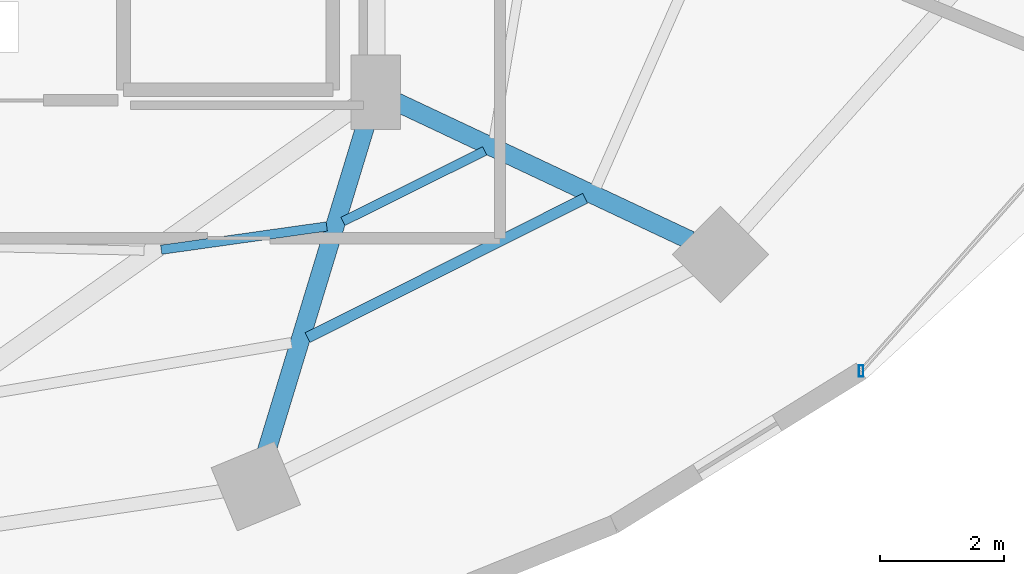
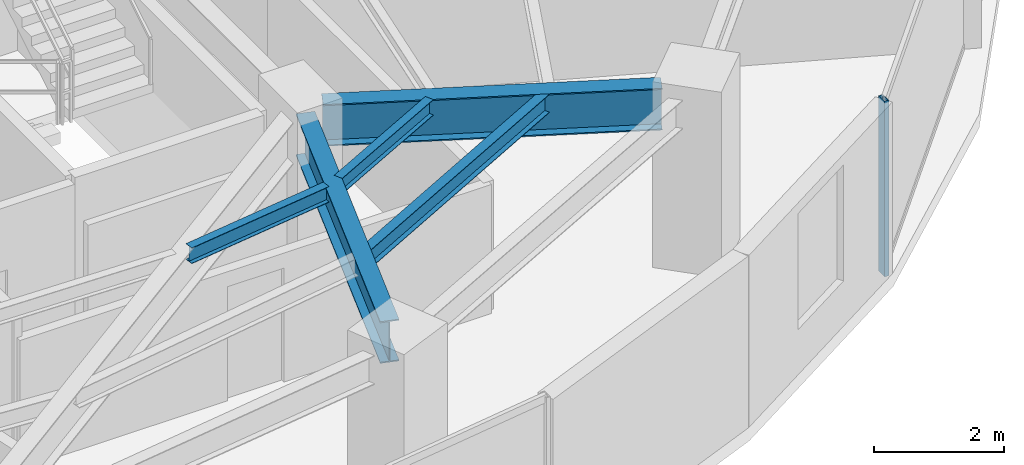
# One storey, part 12 of 30: 5 beams, 1 member, 1 element without a shape of its own.
"""IFC4 building model written with IfcOpenShell, lengths in metres."""

import ifcopenshell
import ifcopenshell.guid

model = None  # the IFC model being written
_history = None  # IfcOwnerHistory: only IFC2X3 demands one
_inside = {}  # id of a spatial element -> (the spatial element, [elements in it])
_under = {}  # id of a project, library or spatial element -> (it, [spatial elements below it])
_declared = {}  # id of a project -> (the project, [libraries it declares])
_typed = {}  # id of a type object -> (the type object, [elements of that type])
_made_of = {}  # id of a material, layer set ... -> (it, [elements and type objects made of it])


def new_model(schema):
    """Start an empty IFC model of exactly this schema.

    Asked for "IFC4X3", IfcOpenShell would pick the latest addendum, in which some entities
    have other attributes; the version numbers below select the first issue.
    IFC2X3 requires an IfcOwnerHistory on every rooted entity: one is made here for all.
    """
    global model, _history
    if schema == "IFC4X3":
        model = ifcopenshell.file(schema_version=(4, 3, 0, 0))
    else:
        model = ifcopenshell.file(schema=schema)
    _inside.clear()
    _under.clear()
    _declared.clear()
    _typed.clear()
    _made_of.clear()
    _history = None
    if model.schema == "IFC2X3":
        org = make("IfcOrganization", Name="unknown")
        user = make(
            "IfcPersonAndOrganization",
            ThePerson=make("IfcPerson", FamilyName="unknown"),
            TheOrganization=org,
        )
        app = make(
            "IfcApplication",
            ApplicationDeveloper=org,
            Version="unknown",
            ApplicationFullName="unknown",
            ApplicationIdentifier="unknown",
        )
        _history = make(
            "IfcOwnerHistory",
            OwningUser=user,
            OwningApplication=app,
            ChangeAction="ADDED",
            CreationDate=0,
        )
    return model


def make(cls, **values):
    """One entity of the class cls with the attributes given. An attribute that is None is left unset."""
    return model.create_entity(
        cls, **{name: value for name, value in values.items() if value is not None}
    )


def rooted(cls, **values):
    """An entity with a GlobalId (a new one), such as an element, a storey or a relation."""
    return make(cls, GlobalId=ifcopenshell.guid.new(), OwnerHistory=_history, **values)


def si_unit(unit_type, name, prefix=None):
    """IfcSIUnit, for example si_unit("LENGTHUNIT", "METRE", prefix="MILLI")."""
    return make("IfcSIUnit", UnitType=unit_type, Prefix=prefix, Name=name)


def assignment(units):
    """IfcUnitAssignment: the units of a project."""
    return None if units is None else make("IfcUnitAssignment", Units=units)


def point(xyz):
    """IfcCartesianPoint."""
    return None if xyz is None else make("IfcCartesianPoint", Coordinates=xyz)


def direction(xyz):
    """IfcDirection."""
    return None if xyz is None else make("IfcDirection", DirectionRatios=xyz)


def frame(location, z_axis=None, x_axis=None):
    """IfcAxis2Placement3D, a coordinate frame: its origin and axes. An axis left out is left unset."""
    return make(
        "IfcAxis2Placement3D",
        Location=point(location),
        Axis=direction(z_axis),
        RefDirection=direction(x_axis),
    )


def frame_2d(location, x_axis=None):
    """IfcAxis2Placement2D, a coordinate frame in the plane: its origin and x axis."""
    return make(
        "IfcAxis2Placement2D", Location=point(location), RefDirection=direction(x_axis)
    )


def origin():
    """The frame at (0, 0, 0) with its axes left unset."""
    return frame((0.0, 0.0, 0.0))


def origin_2d():
    """The frame at (0, 0) in the plane with its x axis left unset."""
    return frame_2d((0.0, 0.0))


def place(relative_to, where):
    """IfcLocalPlacement: puts the frame where relative to a parent placement (None: the world)."""
    return make(
        "IfcLocalPlacement", PlacementRelTo=relative_to, RelativePlacement=where
    )


def context(
    kind, dimensions, precision=None, world=None, true_north=None, identifier=None
):
    """IfcGeometricRepresentationContext, for example the 3D "Model" context."""
    return make(
        "IfcGeometricRepresentationContext",
        ContextIdentifier=identifier,
        ContextType=kind,
        CoordinateSpaceDimension=dimensions,
        Precision=precision,
        WorldCoordinateSystem=world,
        TrueNorth=true_north,
    )


def subcontext(parent, identifier, kind, view, scale=None):
    """IfcGeometricRepresentationSubContext, for example "Body" below "Model"."""
    return make(
        "IfcGeometricRepresentationSubContext",
        ContextIdentifier=identifier,
        ContextType=kind,
        ParentContext=parent,
        TargetScale=scale,
        TargetView=view,
    )


def project(units=None, contexts=None):
    """IfcProject with its units and contexts."""
    return rooted(
        "IfcProject",
        Name="project",
        RepresentationContexts=contexts,
        UnitsInContext=assignment(units),
    )


def spatial(cls, under=None, at=None, **own):
    """A site, building, storey or space (cls), placed at a placement, below another one or the project."""
    s = rooted(cls, ObjectPlacement=at, **own)
    if under is not None:
        _under.setdefault(under.id(), (under, []))[1].append(s)
    return s


def profile(cls, at=None, kind="AREA", **sizes):
    """A parametric profile (cls). Its sizes go by their IFC names, for example OverallWidth=200.0."""
    return make(cls, ProfileType=kind, Position=at, **sizes)


def hollow_rectangle(**sizes):
    """IfcRectangleHollowProfileDef."""
    return profile("IfcRectangleHollowProfileDef", **sizes)


def i_section(**sizes):
    """IfcIShapeProfileDef."""
    return profile("IfcIShapeProfileDef", **sizes)


def extrude(swept, where, along, depth):
    """IfcExtrudedAreaSolid: the profile swept, set in the frame where, extruded along a direction by depth."""
    return make(
        "IfcExtrudedAreaSolid",
        SweptArea=swept,
        Position=where,
        ExtrudedDirection=direction(along),
        Depth=depth,
    )


def shape(context_of_items, identifier, shape_type, items):
    """IfcShapeRepresentation: the items that make up one representation, for example the "Body"."""
    return make(
        "IfcShapeRepresentation",
        ContextOfItems=context_of_items,
        RepresentationIdentifier=identifier,
        RepresentationType=shape_type,
        Items=items,
    )


def material(Name=None, Category=None):
    """IfcMaterial."""
    return make("IfcMaterial", Name=Name, Category=Category)


def material_profile(
    of_material, cross_section, Name=None, Category=None, Priority=None
):
    """IfcMaterialProfile: a cross section and its material."""
    return make(
        "IfcMaterialProfile",
        Name=Name,
        Material=of_material,
        Profile=cross_section,
        Priority=Priority,
        Category=Category,
    )


def profile_set(profiles, Name=None, composite=None):
    """IfcMaterialProfileSet."""
    return make(
        "IfcMaterialProfileSet",
        Name=Name,
        MaterialProfiles=profiles,
        CompositeProfile=composite,
    )


def made_of(thing, what):
    """Note that an element or type object is made of a material, layer set ...; save() writes the relation."""
    if what is not None:
        _made_of.setdefault(what.id(), (what, []))[1].append(thing)
    return thing


def type_object(cls, material=None, **own):
    """A type object (cls), such as IfcWallType, which elements share."""
    return made_of(rooted(cls, **own), material)


def element(
    cls,
    number,
    at=None,
    inside=None,
    cuts=None,
    type_object=None,
    material=None,
    context=None,
    identifier="Body",
    shape_type=None,
    held_by="IfcProductDefinitionShape",
    body=None,
    shapes=None,
    **own,
):
    """One element of the class cls, such as IfcWall. Its Tag is "e" and its number.

    at: its placement. inside: the storey or other place that contains it. cuts: it is an
    opening in that element (IfcRelVoidsElement). A single representation is given by context,
    identifier, shape_type and body (its items); several are given by shapes. held_by: the class
    of the entity that holds the representations. save() writes the other relations.
    """
    e = rooted(cls, Tag="e%d" % number, ObjectPlacement=at, **own)
    if body is not None:
        shapes = [shape(context, identifier, shape_type, body)]
    if shapes is not None:
        e.Representation = make(held_by, Representations=shapes)
    if inside is not None:
        _inside.setdefault(inside.id(), (inside, []))[1].append(e)
    if cuts is not None:
        rooted(
            "IfcRelVoidsElement", RelatingBuildingElement=cuts, RelatedOpeningElement=e
        )
    if type_object is not None:
        _typed.setdefault(type_object.id(), (type_object, []))[1].append(e)
    return made_of(e, material)


def aggregate(whole, parts):
    """IfcRelAggregates: a whole, such as a stair, and the parts it consists of."""
    return rooted("IfcRelAggregates", RelatingObject=whole, RelatedObjects=parts)


def save(model, path):
    """Write the relations noted so far, then the file.

    IfcRelAggregates (storeys below a building ...), IfcRelContainedInSpatialStructure (elements
    in a storey), IfcRelDefinesByType, IfcRelAssociatesMaterial and IfcRelDeclares: one each for
    every whole, place, type object, material and project.
    """
    for whole, parts in _under.values():
        aggregate(whole, parts)
    for where, things in _inside.values():
        rooted(
            "IfcRelContainedInSpatialStructure",
            RelatedElements=things,
            RelatingStructure=where,
        )
    for kind, things in _typed.values():
        rooted("IfcRelDefinesByType", RelatedObjects=things, RelatingType=kind)
    for what, things in _made_of.values():
        rooted("IfcRelAssociatesMaterial", RelatedObjects=things, RelatingMaterial=what)
    for by, libraries in _declared.values():
        rooted("IfcRelDeclares", RelatingContext=by, RelatedDefinitions=libraries)
    model.write(path)


model = new_model("IFC4")

# Units and contexts
model_context = context("Model", 3, precision=1e-05, world=origin(), true_north=direction((0.0, 1.0)))
body_context = subcontext(model_context, "Body", "Model", "MODEL_VIEW")
ifc_project = project(units=[si_unit("LENGTHUNIT", "METRE"), si_unit("AREAUNIT", "SQUARE_METRE"), si_unit("VOLUMEUNIT", "CUBIC_METRE"), si_unit("PLANEANGLEUNIT", "RADIAN"), si_unit("MASSUNIT", "GRAM", prefix="KILO")], contexts=[model_context])

# Site, building, storey
site_placement = place(None, origin())
site = spatial("IfcSite", under=ifc_project, at=site_placement, CompositionType="ELEMENT")
building_placement = place(site_placement, origin())
building = spatial("IfcBuilding", under=site, at=building_placement, Name="Vorneva Point Tower", CompositionType="ELEMENT")
storey_placement = place(building_placement, frame((0.0, 0.0, 78.800048828125)))
storey = spatial("IfcBuildingStorey", under=building, at=storey_placement, Name="L20", CompositionType="ELEMENT", Elevation=78.800048828125)

# Beams
ifc_material_1 = material(Name="Steel S355", Category="steel")
ifc_material_profile_1 = material_profile(ifc_material_1, i_section(OverallWidth=0.300048828125, OverallDepth=0.7880859375, WebThickness=0.014404296875, FlangeThickness=0.02197265625, at=origin_2d()), Name="80Sh1")
ifc_profile_set_1 = profile_set([ifc_material_profile_1], Name="Steel S355")
beam_type_1 = type_object("IfcBeamType", Name="BM-GRD-80Sh1", PredefinedType="USERDEFINED", material=ifc_profile_set_1)
beam_1_placement = place(storey_placement, frame((46.9775390625, 10.6240234375, 2.845947265625), z_axis=(0.291034888253, 0.956712440506, 0.0), x_axis=(-0.956712440506, 0.291034888253, 0.0)))
element("IfcBeam", 1, at=beam_1_placement, inside=storey, type_object=beam_type_1, Name="L20 Radial Primary Girder 14", ObjectType="GIRDER", PredefinedType="USERDEFINED", context=body_context, shape_type="SweptSolid", body=[
    extrude(i_section(OverallWidth=0.300048828125, OverallDepth=0.7880859375, WebThickness=0.014404296875, FlangeThickness=0.02197265625, at=origin_2d()), origin(), (0.0, 0.0, 1.0), 5.74951171875),
])
beam_2_placement = place(storey_placement, frame((53.81201171875, 14.06689453125, 2.845947265625), z_axis=(-0.904751304927, 0.425940226126, 0.0), x_axis=(-0.425940226126, -0.904751304927, 0.0)))
element("IfcBeam", 2, at=beam_2_placement, inside=storey, type_object=beam_type_1, Name="L20 Radial Primary Girder 15", ObjectType="GIRDER", PredefinedType="USERDEFINED", context=body_context, shape_type="SweptSolid", body=[
    extrude(i_section(OverallWidth=0.300048828125, OverallDepth=0.7880859375, WebThickness=0.014404296875, FlangeThickness=0.02197265625, at=origin_2d()), origin(), (0.0, 0.0, 1.0), 5.2548828125),
])
ifc_material_profile_2 = material_profile(ifc_material_1, i_section(OverallWidth=0.14892578125, OverallDepth=0.298095703125, WebThickness=0.005615234375, FlangeThickness=0.008056640625, at=origin_2d()), Name="30B1")
ifc_profile_set_2 = profile_set([ifc_material_profile_2], Name="Steel S355")
beam_type_2 = type_object("IfcBeamType", Name="BM-JST-30B1", PredefinedType="JOIST", material=ifc_profile_set_2)
beam_3_placement = place(storey_placement, frame((45.298095703125, 13.91552734375, 3.091064453125), z_axis=(0.990250320803, 0.139299325736, 0.0), x_axis=(-0.139299325736, 0.990250320803, 0.0)))
element("IfcBeam", 3, at=beam_3_placement, inside=storey, type_object=beam_type_2, Name="L20 Secondary Floor Beam 2.13", PredefinedType="JOIST", context=body_context, shape_type="SweptSolid", body=[
    extrude(i_section(OverallWidth=0.14892578125, OverallDepth=0.298095703125, WebThickness=0.005615234375, FlangeThickness=0.008056640625, at=origin_2d()), origin(), (0.0, 0.0, 1.0), 2.690185546875),
])
beam_4_placement = place(storey_placement, frame((48.222412109375, 14.370849609375, 3.091064453125), z_axis=(0.895364579083, 0.445333886566, 0.0), x_axis=(-0.445333886566, 0.895364579083, 0.0)))
element("IfcBeam", 4, at=beam_4_placement, inside=storey, type_object=beam_type_2, Name="L20 Secondary Floor Beam 2.14", PredefinedType="JOIST", context=body_context, shape_type="SweptSolid", body=[
    extrude(i_section(OverallWidth=0.14892578125, OverallDepth=0.298095703125, WebThickness=0.005615234375, FlangeThickness=0.008056640625, at=origin_2d()), origin(), (0.0, 0.0, 1.0), 2.547119140625),
])
ifc_material_profile_3 = material_profile(ifc_material_1, i_section(OverallWidth=0.174072265625, OverallDepth=0.345947265625, WebThickness=0.006103515625, FlangeThickness=0.009033203125, at=origin_2d()), Name="35B1")
ifc_profile_set_3 = profile_set([ifc_material_profile_3], Name="Steel S355")
beam_type_3 = type_object("IfcBeamType", Name="BM-SEC-35B1", PredefinedType="BEAM", material=ifc_profile_set_3)
beam_5_placement = place(storey_placement, frame((47.653076171875, 12.501220703125, 3.06689453125), z_axis=(0.893693254795, 0.448678466537, 0.0), x_axis=(-0.448678466537, 0.893693254795, 0.0)))
element("IfcBeam", 5, at=beam_5_placement, inside=storey, type_object=beam_type_3, Name="L20 Secondary Floor Beam 1.14", PredefinedType="BEAM", context=body_context, shape_type="SweptSolid", body=[
    extrude(i_section(OverallWidth=0.174072265625, OverallDepth=0.345947265625, WebThickness=0.006103515625, FlangeThickness=0.009033203125, at=origin_2d()), origin(), (0.0, 0.0, 1.0), 4.997802734375),
])

# Curtain wall, member
ifc_material_2 = material(Name="Pale anodised aluminium", Category="aluminium")
curtain_wall_type = type_object("IfcCurtainWallType", Name="CW-HTL-SYS", PredefinedType="NOTDEFINED", material=ifc_material_2)
curtain_wall_placement = place(storey_placement, origin())
curtain_wall = element("IfcCurtainWall", 6, at=curtain_wall_placement, inside=storey, type_object=curtain_wall_type, Name="L20 Unitised Curtain Wall CW-L20-R04", PredefinedType="NOTDEFINED")
ifc_material_profile_4 = material_profile(ifc_material_2, hollow_rectangle(XDim=0.074951171875, YDim=0.179931640625, WallThickness=0.00390625, at=origin_2d()), Name="AL-MUL 180x75x4")
ifc_profile_set_4 = profile_set([ifc_material_profile_4], Name="Pale anodised aluminium")
member_type = type_object("IfcMemberType", Name="CW-MUL-180", PredefinedType="MULLION", material=ifc_profile_set_4)
member_placement = place(storey_placement, frame((56.5615234375, 11.9638671875, -0.0400390625), z_axis=(0.0, 0.0, 1.0), x_axis=(1.0, 0.0, 0.0)))
member = element("IfcMember", 7, at=member_placement, type_object=member_type, Name="CW-L20-R04 Mullion 01", PredefinedType="MULLION", context=body_context, shape_type="SweptSolid", body=[
    extrude(hollow_rectangle(XDim=0.074951171875, YDim=0.179931640625, WallThickness=0.00390625, at=origin_2d()), origin(), (0.0, 0.0, 1.0), 3.31005859375),
])
aggregate(curtain_wall, [member])

save(model, "model.ifc")
